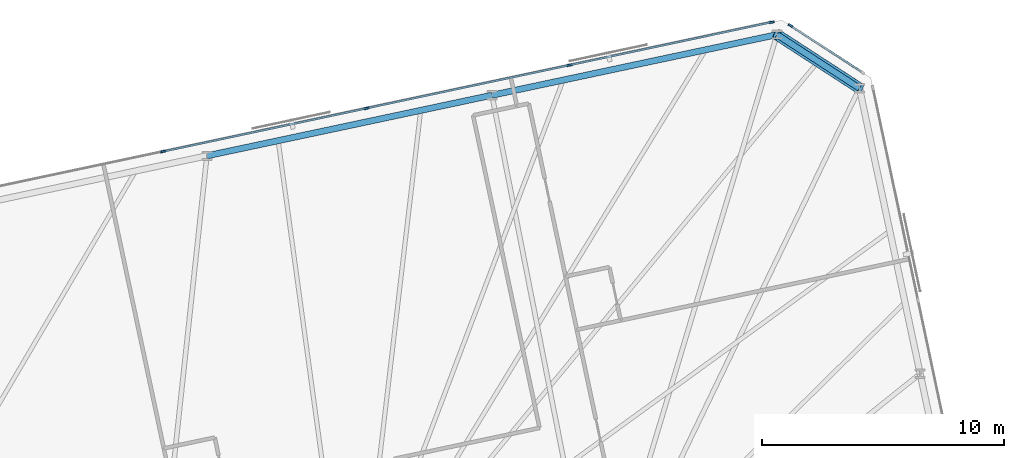
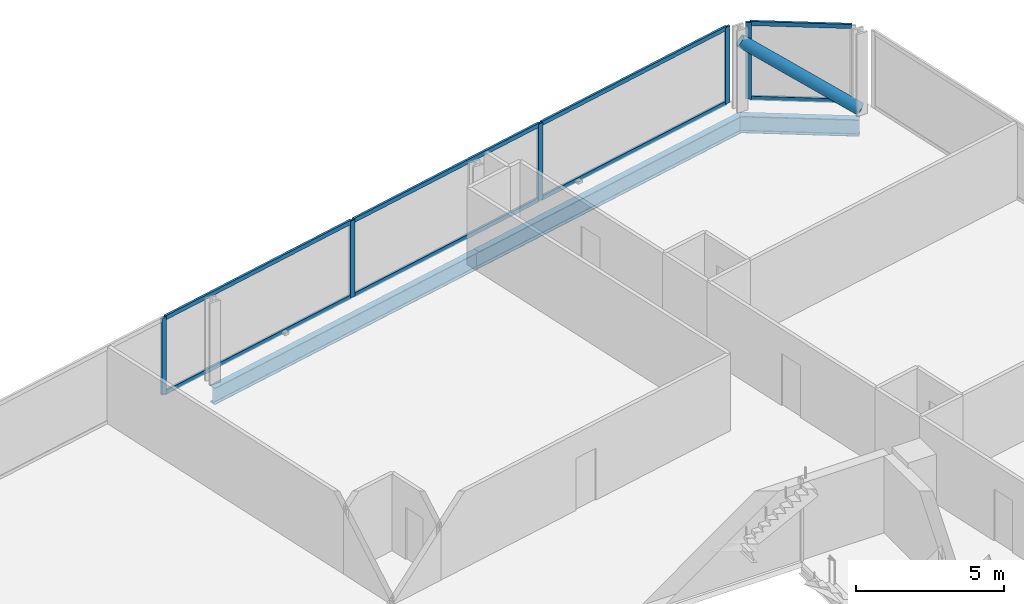
# One storey, part 11 of 19: 14 members, 3 beams, 2 elements without a shape of their own.
"""IFC4 building model written with IfcOpenShell, lengths in metres."""

import ifcopenshell
import ifcopenshell.guid

model = None  # the IFC model being written
_history = None  # IfcOwnerHistory: only IFC2X3 demands one
_inside = {}  # id of a spatial element -> (the spatial element, [elements in it])
_under = {}  # id of a project, library or spatial element -> (it, [spatial elements below it])
_declared = {}  # id of a project -> (the project, [libraries it declares])
_typed = {}  # id of a type object -> (the type object, [elements of that type])
_made_of = {}  # id of a material, layer set ... -> (it, [elements and type objects made of it])


def new_model(schema):
    """Start an empty IFC model of exactly this schema.

    Asked for "IFC4X3", IfcOpenShell would pick the latest addendum, in which some entities
    have other attributes; the version numbers below select the first issue.
    IFC2X3 requires an IfcOwnerHistory on every rooted entity: one is made here for all.
    """
    global model, _history
    if schema == "IFC4X3":
        model = ifcopenshell.file(schema_version=(4, 3, 0, 0))
    else:
        model = ifcopenshell.file(schema=schema)
    _inside.clear()
    _under.clear()
    _declared.clear()
    _typed.clear()
    _made_of.clear()
    _history = None
    if model.schema == "IFC2X3":
        org = make("IfcOrganization", Name="unknown")
        user = make(
            "IfcPersonAndOrganization",
            ThePerson=make("IfcPerson", FamilyName="unknown"),
            TheOrganization=org,
        )
        app = make(
            "IfcApplication",
            ApplicationDeveloper=org,
            Version="unknown",
            ApplicationFullName="unknown",
            ApplicationIdentifier="unknown",
        )
        _history = make(
            "IfcOwnerHistory",
            OwningUser=user,
            OwningApplication=app,
            ChangeAction="ADDED",
            CreationDate=0,
        )
    return model


def make(cls, **values):
    """One entity of the class cls with the attributes given. An attribute that is None is left unset."""
    return model.create_entity(
        cls, **{name: value for name, value in values.items() if value is not None}
    )


def rooted(cls, **values):
    """An entity with a GlobalId (a new one), such as an element, a storey or a relation."""
    return make(cls, GlobalId=ifcopenshell.guid.new(), OwnerHistory=_history, **values)


def si_unit(unit_type, name, prefix=None):
    """IfcSIUnit, for example si_unit("LENGTHUNIT", "METRE", prefix="MILLI")."""
    return make("IfcSIUnit", UnitType=unit_type, Prefix=prefix, Name=name)


def assignment(units):
    """IfcUnitAssignment: the units of a project."""
    return None if units is None else make("IfcUnitAssignment", Units=units)


def point(xyz):
    """IfcCartesianPoint."""
    return None if xyz is None else make("IfcCartesianPoint", Coordinates=xyz)


def direction(xyz):
    """IfcDirection."""
    return None if xyz is None else make("IfcDirection", DirectionRatios=xyz)


def frame(location, z_axis=None, x_axis=None):
    """IfcAxis2Placement3D, a coordinate frame: its origin and axes. An axis left out is left unset."""
    return make(
        "IfcAxis2Placement3D",
        Location=point(location),
        Axis=direction(z_axis),
        RefDirection=direction(x_axis),
    )


def frame_2d(location, x_axis=None):
    """IfcAxis2Placement2D, a coordinate frame in the plane: its origin and x axis."""
    return make(
        "IfcAxis2Placement2D", Location=point(location), RefDirection=direction(x_axis)
    )


def origin():
    """The frame at (0, 0, 0) with its axes left unset."""
    return frame((0.0, 0.0, 0.0))


def origin_2d():
    """The frame at (0, 0) in the plane with its x axis left unset."""
    return frame_2d((0.0, 0.0))


def place(relative_to, where):
    """IfcLocalPlacement: puts the frame where relative to a parent placement (None: the world)."""
    return make(
        "IfcLocalPlacement", PlacementRelTo=relative_to, RelativePlacement=where
    )


def context(
    kind, dimensions, precision=None, world=None, true_north=None, identifier=None
):
    """IfcGeometricRepresentationContext, for example the 3D "Model" context."""
    return make(
        "IfcGeometricRepresentationContext",
        ContextIdentifier=identifier,
        ContextType=kind,
        CoordinateSpaceDimension=dimensions,
        Precision=precision,
        WorldCoordinateSystem=world,
        TrueNorth=true_north,
    )


def subcontext(parent, identifier, kind, view, scale=None):
    """IfcGeometricRepresentationSubContext, for example "Body" below "Model"."""
    return make(
        "IfcGeometricRepresentationSubContext",
        ContextIdentifier=identifier,
        ContextType=kind,
        ParentContext=parent,
        TargetScale=scale,
        TargetView=view,
    )


def project(units=None, contexts=None):
    """IfcProject with its units and contexts."""
    return rooted(
        "IfcProject",
        Name="project",
        RepresentationContexts=contexts,
        UnitsInContext=assignment(units),
    )


def spatial(cls, under=None, at=None, **own):
    """A site, building, storey or space (cls), placed at a placement, below another one or the project."""
    s = rooted(cls, ObjectPlacement=at, **own)
    if under is not None:
        _under.setdefault(under.id(), (under, []))[1].append(s)
    return s


def profile(cls, at=None, kind="AREA", **sizes):
    """A parametric profile (cls). Its sizes go by their IFC names, for example OverallWidth=200.0."""
    return make(cls, ProfileType=kind, Position=at, **sizes)


def rectangle(**sizes):
    """IfcRectangleProfileDef."""
    return profile("IfcRectangleProfileDef", **sizes)


def hollow_circle(**sizes):
    """IfcCircleHollowProfileDef."""
    return profile("IfcCircleHollowProfileDef", **sizes)


def i_section(**sizes):
    """IfcIShapeProfileDef."""
    return profile("IfcIShapeProfileDef", **sizes)


def extrude(swept, where, along, depth):
    """IfcExtrudedAreaSolid: the profile swept, set in the frame where, extruded along a direction by depth."""
    return make(
        "IfcExtrudedAreaSolid",
        SweptArea=swept,
        Position=where,
        ExtrudedDirection=direction(along),
        Depth=depth,
    )


def shape(context_of_items, identifier, shape_type, items):
    """IfcShapeRepresentation: the items that make up one representation, for example the "Body"."""
    return make(
        "IfcShapeRepresentation",
        ContextOfItems=context_of_items,
        RepresentationIdentifier=identifier,
        RepresentationType=shape_type,
        Items=items,
    )


def material(Name=None, Category=None):
    """IfcMaterial."""
    return make("IfcMaterial", Name=Name, Category=Category)


def material_profile(
    of_material, cross_section, Name=None, Category=None, Priority=None
):
    """IfcMaterialProfile: a cross section and its material."""
    return make(
        "IfcMaterialProfile",
        Name=Name,
        Material=of_material,
        Profile=cross_section,
        Priority=Priority,
        Category=Category,
    )


def profile_set(profiles, Name=None, composite=None):
    """IfcMaterialProfileSet."""
    return make(
        "IfcMaterialProfileSet",
        Name=Name,
        MaterialProfiles=profiles,
        CompositeProfile=composite,
    )


def made_of(thing, what):
    """Note that an element or type object is made of a material, layer set ...; save() writes the relation."""
    if what is not None:
        _made_of.setdefault(what.id(), (what, []))[1].append(thing)
    return thing


def type_object(cls, material=None, **own):
    """A type object (cls), such as IfcWallType, which elements share."""
    return made_of(rooted(cls, **own), material)


def element(
    cls,
    number,
    at=None,
    inside=None,
    cuts=None,
    type_object=None,
    material=None,
    context=None,
    identifier="Body",
    shape_type=None,
    held_by="IfcProductDefinitionShape",
    body=None,
    shapes=None,
    **own,
):
    """One element of the class cls, such as IfcWall. Its Tag is "e" and its number.

    at: its placement. inside: the storey or other place that contains it. cuts: it is an
    opening in that element (IfcRelVoidsElement). A single representation is given by context,
    identifier, shape_type and body (its items); several are given by shapes. held_by: the class
    of the entity that holds the representations. save() writes the other relations.
    """
    e = rooted(cls, Tag="e%d" % number, ObjectPlacement=at, **own)
    if body is not None:
        shapes = [shape(context, identifier, shape_type, body)]
    if shapes is not None:
        e.Representation = make(held_by, Representations=shapes)
    if inside is not None:
        _inside.setdefault(inside.id(), (inside, []))[1].append(e)
    if cuts is not None:
        rooted(
            "IfcRelVoidsElement", RelatingBuildingElement=cuts, RelatedOpeningElement=e
        )
    if type_object is not None:
        _typed.setdefault(type_object.id(), (type_object, []))[1].append(e)
    return made_of(e, material)


def aggregate(whole, parts):
    """IfcRelAggregates: a whole, such as a stair, and the parts it consists of."""
    return rooted("IfcRelAggregates", RelatingObject=whole, RelatedObjects=parts)


def save(model, path):
    """Write the relations noted so far, then the file.

    IfcRelAggregates (storeys below a building ...), IfcRelContainedInSpatialStructure (elements
    in a storey), IfcRelDefinesByType, IfcRelAssociatesMaterial and IfcRelDeclares: one each for
    every whole, place, type object, material and project.
    """
    for whole, parts in _under.values():
        aggregate(whole, parts)
    for where, things in _inside.values():
        rooted(
            "IfcRelContainedInSpatialStructure",
            RelatedElements=things,
            RelatingStructure=where,
        )
    for kind, things in _typed.values():
        rooted("IfcRelDefinesByType", RelatedObjects=things, RelatingType=kind)
    for what, things in _made_of.values():
        rooted("IfcRelAssociatesMaterial", RelatedObjects=things, RelatingMaterial=what)
    for by, libraries in _declared.values():
        rooted("IfcRelDeclares", RelatingContext=by, RelatedDefinitions=libraries)
    model.write(path)


model = new_model("IFC4")

# Units and contexts
model_context = context("Model", 3, precision=1e-05, world=origin(), true_north=direction((0.0, 1.0)))
body_context = subcontext(model_context, "Body", "Model", "MODEL_VIEW")
ifc_project = project(units=[si_unit("LENGTHUNIT", "METRE"), si_unit("AREAUNIT", "SQUARE_METRE"), si_unit("VOLUMEUNIT", "CUBIC_METRE"), si_unit("PLANEANGLEUNIT", "RADIAN"), si_unit("MASSUNIT", "GRAM", prefix="KILO")], contexts=[model_context])

# Site, building, storey
site_placement = place(None, origin())
site = spatial("IfcSite", under=ifc_project, at=site_placement, CompositionType="ELEMENT")
building_placement = place(site_placement, origin())
building = spatial("IfcBuilding", under=site, at=building_placement, Name="Menara Jurai Vektor", CompositionType="ELEMENT")
storey_placement = place(building_placement, frame((0.0, 0.0, 171.800048828125)))
storey = spatial("IfcBuildingStorey", under=building, at=storey_placement, Name="L44", CompositionType="ELEMENT", Elevation=171.800048828125)

# Curtain wall, member
ifc_material_1 = material(Name="Anodised Pale Aluminium & Low-E Double Glazing", Category="aluminium")
curtain_wall_type = type_object("IfcCurtainWallType", Name="CW-BLK3", PredefinedType="NOTDEFINED", material=ifc_material_1)
curtain_wall_1_placement = place(storey_placement, origin())
curtain_wall_1 = element("IfcCurtainWall", 1, at=curtain_wall_1_placement, inside=storey, type_object=curtain_wall_type, Name="Unitised Curtain Wall L44 F04", PredefinedType="NOTDEFINED")
ifc_material_2 = material(Name="Anodised Pale Aluminium Mullion", Category="aluminium")
ifc_material_profile_1 = material_profile(ifc_material_2, rectangle(XDim=0.0849609375, YDim=0.205078125, at=origin_2d()), Name="ALU MUL 85x205")
ifc_profile_set_1 = profile_set([ifc_material_profile_1], Name="Anodised Pale Aluminium Mullion")
member_type_1 = type_object("IfcMemberType", Name="CW-BLK3-MUL", PredefinedType="MULLION", material=ifc_profile_set_1)
member_1_placement = place(storey_placement, frame((23.219970703125, 29.920654296875, 0.0), z_axis=(0.0, 0.0, 1.0), x_axis=(-0.544617794346, -0.838684361415, 0.0)))
member_1 = element("IfcMember", 2, at=member_1_placement, type_object=member_type_1, Name="CW-03 mullion 2", PredefinedType="MULLION", context=body_context, shape_type="SweptSolid", body=[
    extrude(rectangle(XDim=0.0849609375, YDim=0.205078125, at=origin_2d()), origin(), (0.0, 0.0, 1.0), 3.175048828125),
])

# Curtain wall, members
curtain_wall_2_placement = place(storey_placement, origin())
curtain_wall_2 = element("IfcCurtainWall", 3, at=curtain_wall_2_placement, inside=storey, type_object=curtain_wall_type, Name="Unitised Curtain Wall L44 F05", PredefinedType="NOTDEFINED")
member_2_placement = place(storey_placement, frame((22.452392578125, 30.062744140625, 0.0), z_axis=(0.0, 0.0, 1.0), x_axis=(0.207911344156, -0.978147674419, 0.0)))
member_2 = element("IfcMember", 4, at=member_2_placement, type_object=member_type_1, Name="CW-03 mullion 1", PredefinedType="MULLION", context=body_context, shape_type="SweptSolid", body=[
    extrude(rectangle(XDim=0.0849609375, YDim=0.205078125, at=origin_2d()), origin(), (0.0, 0.0, 1.0), 3.175048828125),
])
member_3_placement = place(storey_placement, frame((14.104248046875, 28.288330078125, 0.0), z_axis=(0.0, 0.0, 1.0), x_axis=(0.207911344156, -0.978147674419, 0.0)))
member_3 = element("IfcMember", 5, at=member_3_placement, type_object=member_type_1, Name="CW-03 mullion 2", PredefinedType="MULLION", context=body_context, shape_type="SweptSolid", body=[
    extrude(rectangle(XDim=0.0849609375, YDim=0.205078125, at=origin_2d()), origin(), (0.0, 0.0, 1.0), 3.175048828125),
])
member_4_placement = place(storey_placement, frame((5.71435546875, 26.505126953125, 0.0), z_axis=(0.0, 0.0, 1.0), x_axis=(0.207911344156, -0.978147674419, 0.0)))
member_4 = element("IfcMember", 6, at=member_4_placement, type_object=member_type_1, Name="CW-03 mullion 3", PredefinedType="MULLION", context=body_context, shape_type="SweptSolid", body=[
    extrude(rectangle(XDim=0.0849609375, YDim=0.205078125, at=origin_2d()), origin(), (0.0, 0.0, 1.0), 3.175048828125),
])
member_5_placement = place(storey_placement, frame((-2.67529296875, 24.721923828125, 0.0), z_axis=(0.0, 0.0, 1.0), x_axis=(0.207911344156, -0.978147674419, 0.0)))
member_5 = element("IfcMember", 7, at=member_5_placement, type_object=member_type_1, Name="CW-03 mullion 4", PredefinedType="MULLION", context=body_context, shape_type="SweptSolid", body=[
    extrude(rectangle(XDim=0.0849609375, YDim=0.205078125, at=origin_2d()), origin(), (0.0, 0.0, 1.0), 3.175048828125),
])

# Member
ifc_material_3 = material(Name="Anodised Pale Aluminium Transom", Category="aluminium")
ifc_material_profile_2 = material_profile(ifc_material_3, rectangle(XDim=0.0849609375, YDim=0.175048828125, at=origin_2d()), Name="ALU TRN 85x175")
ifc_profile_set_2 = profile_set([ifc_material_profile_2], Name="Anodised Pale Aluminium Transom")
member_type_2 = type_object("IfcMemberType", Name="CW-BLK3-TRN", PredefinedType="USERDEFINED", material=ifc_profile_set_2)
member_6_placement = place(storey_placement, frame((26.15234375, 28.016357421875, 0.04248046875), z_axis=(-0.83867770631, 0.54462804274, 0.0), x_axis=(-0.54462804274, -0.83867770631, 0.0)))
member_6 = element("IfcMember", 8, at=member_6_placement, type_object=member_type_2, Name="CW-03 transom 1.1", ObjectType="TRANSOM", PredefinedType="USERDEFINED", context=body_context, shape_type="SweptSolid", body=[
    extrude(rectangle(XDim=0.0849609375, YDim=0.175048828125, at=origin_2d()), origin(), (0.0, 0.0, 1.0), 3.453857421875),
])

member_7_placement = place(storey_placement, frame((26.15234375, 28.016357421875, 3.132568359375), z_axis=(-0.83867770631, 0.54462804274, 0.0), x_axis=(-0.54462804274, -0.83867770631, 0.0)))
member_7 = element("IfcMember", 9, at=member_7_placement, type_object=member_type_2, Name="CW-03 transom 1.2", ObjectType="TRANSOM", PredefinedType="USERDEFINED", context=body_context, shape_type="SweptSolid", body=[
    extrude(rectangle(XDim=0.0849609375, YDim=0.175048828125, at=origin_2d()), origin(), (0.0, 0.0, 1.0), 3.453857421875),
])

aggregate(curtain_wall_1, [member_1, member_6, member_7])

member_8_placement = place(storey_placement, frame((22.41064453125, 30.053955078125, 0.04248046875), z_axis=(-0.978151580361, -0.207892967261, 0.0), x_axis=(0.207892967261, -0.978151580361, 0.0)))
member_8 = element("IfcMember", 10, at=member_8_placement, type_object=member_type_2, Name="CW-03 transom 1.1", ObjectType="TRANSOM", PredefinedType="USERDEFINED", context=body_context, shape_type="SweptSolid", body=[
    extrude(rectangle(XDim=0.0849609375, YDim=0.175048828125, at=origin_2d()), origin(), (0.0, 0.0, 1.0), 8.449462890625),
])

member_9_placement = place(storey_placement, frame((22.41064453125, 30.053955078125, 3.132568359375), z_axis=(-0.978151580361, -0.207892967261, 0.0), x_axis=(0.207892967261, -0.978151580361, 0.0)))
member_9 = element("IfcMember", 11, at=member_9_placement, type_object=member_type_2, Name="CW-03 transom 1.2", ObjectType="TRANSOM", PredefinedType="USERDEFINED", context=body_context, shape_type="SweptSolid", body=[
    extrude(rectangle(XDim=0.0849609375, YDim=0.175048828125, at=origin_2d()), origin(), (0.0, 0.0, 1.0), 8.449462890625),
])

member_10_placement = place(storey_placement, frame((14.0625, 28.279541015625, 0.04248046875), z_axis=(-0.978146500933, -0.207916864907, 0.0), x_axis=(0.207916864907, -0.978146500933, 0.0)))
member_10 = element("IfcMember", 12, at=member_10_placement, type_object=member_type_2, Name="CW-03 transom 2.1", ObjectType="TRANSOM", PredefinedType="USERDEFINED", context=body_context, shape_type="SweptSolid", body=[
    extrude(rectangle(XDim=0.0849609375, YDim=0.175048828125, at=origin_2d()), origin(), (0.0, 0.0, 1.0), 8.491943359375),
])

member_11_placement = place(storey_placement, frame((14.0625, 28.279541015625, 3.132568359375), z_axis=(-0.978146500933, -0.207916864907, 0.0), x_axis=(0.207916864907, -0.978146500933, 0.0)))
member_11 = element("IfcMember", 13, at=member_11_placement, type_object=member_type_2, Name="CW-03 transom 2.2", ObjectType="TRANSOM", PredefinedType="USERDEFINED", context=body_context, shape_type="SweptSolid", body=[
    extrude(rectangle(XDim=0.0849609375, YDim=0.175048828125, at=origin_2d()), origin(), (0.0, 0.0, 1.0), 8.491943359375),
])

member_12_placement = place(storey_placement, frame((5.6728515625, 26.496337890625, 0.04248046875), z_axis=(-0.978147743708, -0.207911018178, 0.0), x_axis=(0.207911018178, -0.978147743708, 0.0)))
member_12 = element("IfcMember", 14, at=member_12_placement, type_object=member_type_2, Name="CW-03 transom 3.1", ObjectType="TRANSOM", PredefinedType="USERDEFINED", context=body_context, shape_type="SweptSolid", body=[
    extrude(rectangle(XDim=0.0849609375, YDim=0.175048828125, at=origin_2d()), origin(), (0.0, 0.0, 1.0), 8.4921875),
])

member_13_placement = place(storey_placement, frame((5.6728515625, 26.496337890625, 3.132568359375), z_axis=(-0.978147743708, -0.207911018178, 0.0), x_axis=(0.207911018178, -0.978147743708, 0.0)))
member_13 = element("IfcMember", 15, at=member_13_placement, type_object=member_type_2, Name="CW-03 transom 3.2", ObjectType="TRANSOM", PredefinedType="USERDEFINED", context=body_context, shape_type="SweptSolid", body=[
    extrude(rectangle(XDim=0.0849609375, YDim=0.175048828125, at=origin_2d()), origin(), (0.0, 0.0, 1.0), 8.4921875),
])

aggregate(curtain_wall_2, [member_2, member_3, member_4, member_5, member_8, member_9, member_10, member_11, member_12, member_13])

ifc_material_4 = material(Name="Steel S460", Category="steel")
ifc_material_profile_3 = material_profile(ifc_material_4, hollow_circle(Radius=0.228515625, WallThickness=0.01611328125, at=origin_2d()), Name="CHS 457x16")
ifc_profile_set_3 = profile_set([ifc_material_profile_3], Name="Steel S460")
member_type_3 = type_object("IfcMemberType", Name="STR-BR-457", PredefinedType="BRACE", material=ifc_profile_set_3)
member_14_placement = place(storey_placement, frame((26.0712890625, 27.33349609375, 0.14990234375), z_axis=(-0.700418818423, 0.454848055166, 0.550024295382), x_axis=(-0.544631249681, -0.838675623749, 0.0)))
element("IfcMember", 16, at=member_14_placement, inside=storey, type_object=member_type_3, Name="Exoskeleton Corner Brace L44-2", PredefinedType="BRACE", context=body_context, shape_type="SweptSolid", body=[
    extrude(hollow_circle(Radius=0.228515625, WallThickness=0.01611328125, at=origin_2d()), origin(), (0.0, 0.0, 1.0), 4.863525390625),
])

# Beams
ifc_material_profile_4 = material_profile(ifc_material_4, i_section(OverallWidth=0.256103515625, OverallDepth=0.693115234375, WebThickness=0.013916015625, FlangeThickness=0.02392578125, FilletRadius=0.014892578125, at=origin_2d()), Name="UKB 686x254x170")
ifc_profile_set_4 = profile_set([ifc_material_profile_4], Name="Steel S460")
beam_type = type_object("IfcBeamType", Name="STR-SP-686", PredefinedType="SPANDREL", material=ifc_profile_set_4)
beam_1_placement = place(storey_placement, frame((26.0712890625, 27.33349609375, -0.571533203125), z_axis=(-0.838675623749, 0.544631249681, 0.0), x_axis=(-0.544631249681, -0.838675623749, 0.0)))
element("IfcBeam", 17, at=beam_1_placement, inside=storey, type_object=beam_type, Name="Exoskeleton Spandrel Beam L44-10", PredefinedType="SPANDREL", context=body_context, shape_type="SweptSolid", body=[
    extrude(i_section(OverallWidth=0.256103515625, OverallDepth=0.693115234375, WebThickness=0.013916015625, FlangeThickness=0.02392578125, FilletRadius=0.014892578125, at=origin_2d()), origin(), (0.0, 0.0, 1.0), 4.061767578125),
])
beam_2_placement = place(storey_placement, frame((22.664794921875, 29.545654296875, -0.571533203125), z_axis=(-0.978147039247, -0.207914332389, 0.0), x_axis=(0.207914332389, -0.978147039247, 0.0)))
element("IfcBeam", 18, at=beam_2_placement, inside=storey, type_object=beam_type, Name="Exoskeleton Spandrel Beam L44-11", PredefinedType="SPANDREL", context=body_context, shape_type="SweptSolid", body=[
    extrude(i_section(OverallWidth=0.256103515625, OverallDepth=0.693115234375, WebThickness=0.013916015625, FlangeThickness=0.02392578125, FilletRadius=0.014892578125, at=origin_2d()), origin(), (0.0, 0.0, 1.0), 12.03125),
])
beam_3_placement = place(storey_placement, frame((10.896484375, 27.044189453125, -0.571533203125), z_axis=(-0.978150288855, -0.207899043801, 0.0), x_axis=(0.207899043801, -0.978150288855, 0.0)))
element("IfcBeam", 19, at=beam_3_placement, inside=storey, type_object=beam_type, Name="Exoskeleton Spandrel Beam L44-12", PredefinedType="SPANDREL", context=body_context, shape_type="SweptSolid", body=[
    extrude(i_section(OverallWidth=0.256103515625, OverallDepth=0.693115234375, WebThickness=0.013916015625, FlangeThickness=0.02392578125, FilletRadius=0.014892578125, at=origin_2d()), origin(), (0.0, 0.0, 1.0), 12.031005859375),
])

save(model, "model.ifc")
